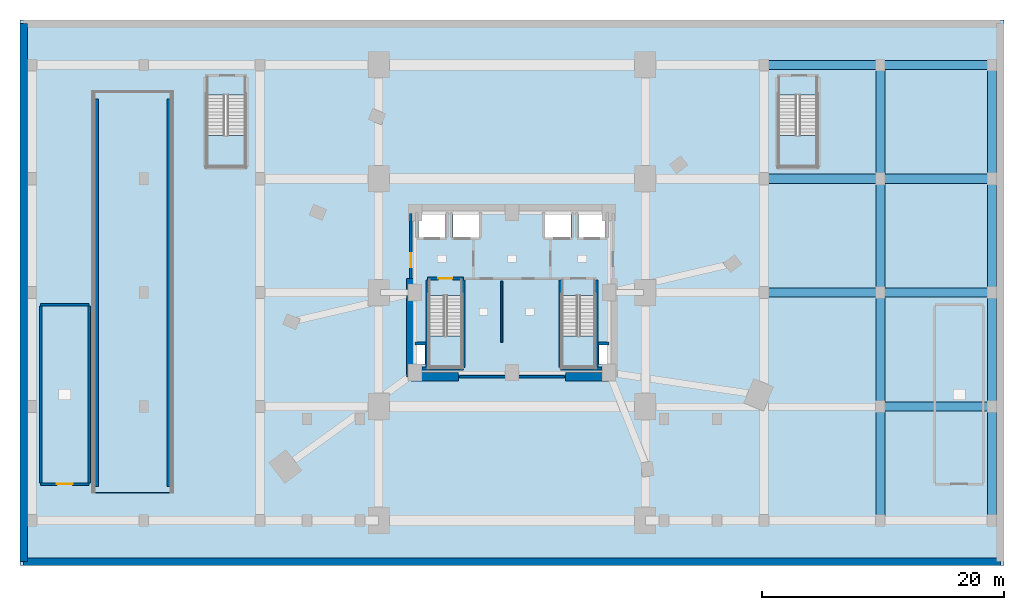
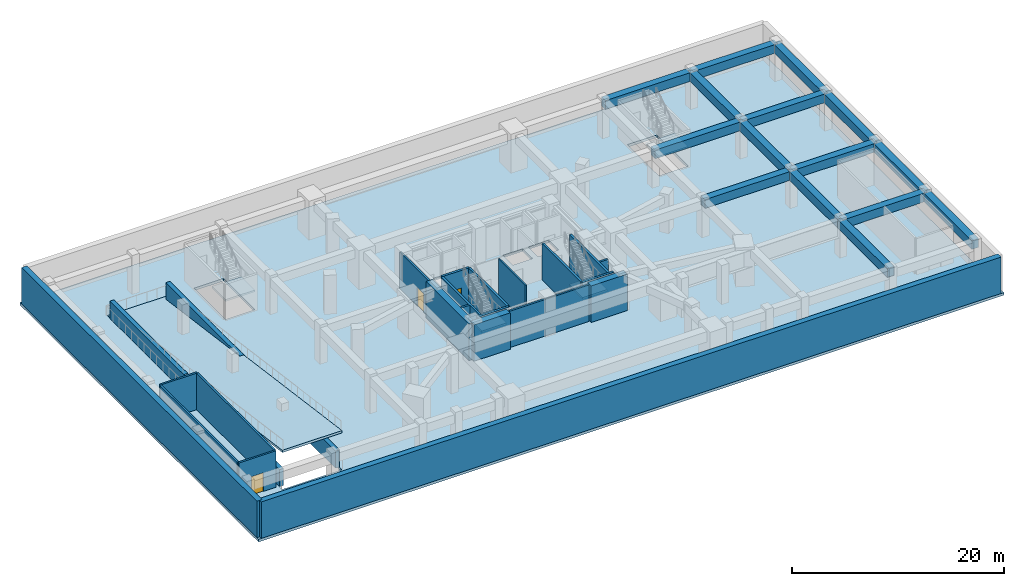
# One storey, part 2 of 9: 23 walls, 15 beams, 6 slabs, 3 doors, 3 openings, 4 elements without a shape of their own.
"""IFC4 building model written with IfcOpenShell, lengths in metres."""

from ifc_helpers import new_model, si_unit, direction, frame, frame_2d, origin, origin_2d, place, context, subcontext, project, spatial, polyline, rectangle, outline, extrude, material, layer, layer_set, material_profile, profile_set, type_object, element, fill, aggregate, save


model = new_model("IFC4")

# Units and contexts
model_context = context("Model", 3, precision=1e-05, world=origin(), true_north=direction((0.0, 1.0)))
body_context = subcontext(model_context, "Body", "Model", "MODEL_VIEW")
ifc_project = project(units=[si_unit("LENGTHUNIT", "METRE"), si_unit("AREAUNIT", "SQUARE_METRE"), si_unit("VOLUMEUNIT", "CUBIC_METRE"), si_unit("PLANEANGLEUNIT", "RADIAN"), si_unit("MASSUNIT", "GRAM", prefix="KILO")], contexts=[model_context])

# Site, building, storey
site_placement = place(None, origin())
site = spatial("IfcSite", under=ifc_project, at=site_placement, CompositionType="ELEMENT")
building_placement = place(site_placement, origin())
building = spatial("IfcBuilding", under=site, at=building_placement, Name="Ndelora Gate Hotel", CompositionType="ELEMENT")
storey_placement = place(building_placement, frame((0.0, 0.0, -9.0)))
storey = spatial("IfcBuildingStorey", under=building, at=storey_placement, Name="B02", CompositionType="ELEMENT", Elevation=-9.0)

# Beams
ifc_material_1 = material(Name="Concrete C50/60", Category="concrete")
ifc_material_profile = material_profile(ifc_material_1, rectangle(XDim=0.75, YDim=1.0, at=origin_2d()), Name="RCB 750x1000")
ifc_profile_set = profile_set([ifc_material_profile], Name="Concrete C50/60")
beam_type = type_object("IfcBeamType", Name="BM-RC-750x1000", PredefinedType="BEAM", material=ifc_profile_set)
beam_1_placement = place(storey_placement, frame((30.39990234375, -18.800048828125, 3.699951171875), z_axis=(0.0, 1.0, 0.0), x_axis=(-1.0, 0.0, 0.0)))
element("IfcBeam", 1, at=beam_1_placement, inside=storey, type_object=beam_type, Name="B02 Podium Longitudinal Girder X=+30.4", PredefinedType="BEAM", context=body_context, shape_type="SweptSolid", body=[
    extrude(rectangle(XDim=0.75, YDim=1.0, at=origin_2d()), origin(), (0.0, 0.0, 1.0), 9.400146484375),
])
for number, where, z_axis, x_axis, name in (
    (2, (30.39990234375, -9.39990234375, 3.699951171875), (0.0, 1.0, 0.0), (-1.0, 0.0, 0.0), "B02 Podium Longitudinal Girder X=+30.4"),
    (3, (30.39990234375, 0.0, 3.699951171875), (0.0, 1.0, 0.0), (-1.0, 0.0, 0.0), "B02 Podium Longitudinal Girder X=+30.4"),
):
    element("IfcBeam", number, at=place(storey_placement, frame(where, z_axis=z_axis, x_axis=x_axis)), inside=storey, type_object=beam_type, Name=name, PredefinedType="BEAM", context=body_context, shape_type="SweptSolid", body=[
        extrude(rectangle(XDim=0.75, YDim=1.0, at=origin_2d()), origin(), (0.0, 0.0, 1.0), 9.39990234375),
    ])
for number, where, z_axis, x_axis, name in (
    (4, (30.39990234375, 9.39990234375, 3.699951171875), (0.0, 1.0, 0.0), (-1.0, 0.0, 0.0), "B02 Podium Longitudinal Girder X=+30.4"),
    (5, (39.60009765625, -18.800048828125, 3.699951171875), (0.0, 1.0, 0.0), (-1.0, 0.0, 0.0), "B02 Podium Longitudinal Girder X=+39.6"),
):
    element("IfcBeam", number, at=place(storey_placement, frame(where, z_axis=z_axis, x_axis=x_axis)), inside=storey, type_object=beam_type, Name=name, PredefinedType="BEAM", context=body_context, shape_type="SweptSolid", body=[
        extrude(rectangle(XDim=0.75, YDim=1.0, at=origin_2d()), origin(), (0.0, 0.0, 1.0), 9.400146484375),
    ])
for number, where, z_axis, x_axis, name in (
    (6, (39.60009765625, -9.39990234375, 3.699951171875), (0.0, 1.0, 0.0), (-1.0, 0.0, 0.0), "B02 Podium Longitudinal Girder X=+39.6"),
    (7, (39.60009765625, 0.0, 3.699951171875), (0.0, 1.0, 0.0), (-1.0, 0.0, 0.0), "B02 Podium Longitudinal Girder X=+39.6"),
):
    element("IfcBeam", number, at=place(storey_placement, frame(where, z_axis=z_axis, x_axis=x_axis)), inside=storey, type_object=beam_type, Name=name, PredefinedType="BEAM", context=body_context, shape_type="SweptSolid", body=[
        extrude(rectangle(XDim=0.75, YDim=1.0, at=origin_2d()), origin(), (0.0, 0.0, 1.0), 9.39990234375),
    ])
beam_2_placement = place(storey_placement, frame((39.60009765625, 9.39990234375, 3.699951171875), z_axis=(0.0, 1.0, 0.0), x_axis=(-1.0, 0.0, 0.0)))
element("IfcBeam", 8, at=beam_2_placement, inside=storey, type_object=beam_type, Name="B02 Podium Longitudinal Girder X=+39.6", PredefinedType="BEAM", context=body_context, shape_type="SweptSolid", body=[
    extrude(rectangle(XDim=0.75, YDim=1.0, at=origin_2d()), origin(), (0.0, 0.0, 1.0), 9.400146484375),
])
beam_3_placement = place(storey_placement, frame((30.39990234375, -9.39990234375, 3.699951171875), z_axis=(1.0, 0.0, 0.0), x_axis=(0.0, 1.0, 0.0)))
element("IfcBeam", 9, at=beam_3_placement, inside=storey, type_object=beam_type, Name="B02 Podium Transverse Girder Y=-9.4", PredefinedType="BEAM", context=body_context, shape_type="SweptSolid", body=[
    extrude(rectangle(XDim=0.75, YDim=1.0, at=origin_2d()), origin(), (0.0, 0.0, 1.0), 9.2001953125),
])
beam_4_placement = place(storey_placement, frame((20.800048828125, 0.0, 3.699951171875), z_axis=(1.0, 0.0, 0.0), x_axis=(0.0, 1.0, 0.0)))
element("IfcBeam", 10, at=beam_4_placement, inside=storey, type_object=beam_type, Name="B02 Podium Transverse Girder Y=+0.0", PredefinedType="BEAM", context=body_context, shape_type="SweptSolid", body=[
    extrude(rectangle(XDim=0.75, YDim=1.0, at=origin_2d()), origin(), (0.0, 0.0, 1.0), 9.599853515625),
])
beam_5_placement = place(storey_placement, frame((30.39990234375, 0.0, 3.699951171875), z_axis=(1.0, 0.0, 0.0), x_axis=(0.0, 1.0, 0.0)))
element("IfcBeam", 11, at=beam_5_placement, inside=storey, type_object=beam_type, Name="B02 Podium Transverse Girder Y=+0.0", PredefinedType="BEAM", context=body_context, shape_type="SweptSolid", body=[
    extrude(rectangle(XDim=0.75, YDim=1.0, at=origin_2d()), origin(), (0.0, 0.0, 1.0), 9.2001953125),
])
beam_6_placement = place(storey_placement, frame((20.800048828125, 9.39990234375, 3.699951171875), z_axis=(1.0, 0.0, 0.0), x_axis=(0.0, 1.0, 0.0)))
element("IfcBeam", 12, at=beam_6_placement, inside=storey, type_object=beam_type, Name="B02 Podium Transverse Girder Y=+9.4", PredefinedType="BEAM", context=body_context, shape_type="SweptSolid", body=[
    extrude(rectangle(XDim=0.75, YDim=1.0, at=origin_2d()), origin(), (0.0, 0.0, 1.0), 9.599853515625),
])
beam_7_placement = place(storey_placement, frame((30.39990234375, 9.39990234375, 3.699951171875), z_axis=(1.0, 0.0, 0.0), x_axis=(0.0, 1.0, 0.0)))
element("IfcBeam", 13, at=beam_7_placement, inside=storey, type_object=beam_type, Name="B02 Podium Transverse Girder Y=+9.4", PredefinedType="BEAM", context=body_context, shape_type="SweptSolid", body=[
    extrude(rectangle(XDim=0.75, YDim=1.0, at=origin_2d()), origin(), (0.0, 0.0, 1.0), 9.2001953125),
])
beam_8_placement = place(storey_placement, frame((20.800048828125, 18.800048828125, 3.699951171875), z_axis=(1.0, 0.0, 0.0), x_axis=(0.0, 1.0, 0.0)))
element("IfcBeam", 14, at=beam_8_placement, inside=storey, type_object=beam_type, Name="B02 Podium Transverse Girder Y=+18.8", PredefinedType="BEAM", context=body_context, shape_type="SweptSolid", body=[
    extrude(rectangle(XDim=0.75, YDim=1.0, at=origin_2d()), origin(), (0.0, 0.0, 1.0), 9.599853515625),
])
beam_9_placement = place(storey_placement, frame((30.39990234375, 18.800048828125, 3.699951171875), z_axis=(1.0, 0.0, 0.0), x_axis=(0.0, 1.0, 0.0)))
element("IfcBeam", 15, at=beam_9_placement, inside=storey, type_object=beam_type, Name="B02 Podium Transverse Girder Y=+18.8", PredefinedType="BEAM", context=body_context, shape_type="SweptSolid", body=[
    extrude(rectangle(XDim=0.75, YDim=1.0, at=origin_2d()), origin(), (0.0, 0.0, 1.0), 9.2001953125),
])

# Slab
ifc_material_2 = material(Name="Concrete C40/50", Category="concrete")
ifc_layer_1 = layer(ifc_material_2, 0.300048828125)
ifc_layer_set_1 = layer_set([ifc_layer_1], Name="Concrete C40/50")
slab_type_1 = type_object("IfcSlabType", Name="SL-BSM-300", PredefinedType="FLOOR", material=ifc_layer_set_1)
slab_1_placement = place(storey_placement, frame((0.0, 0.0, -0.300048828125)))
element("IfcSlab", 16, at=slab_1_placement, inside=storey, type_object=slab_type_1, Name="B02 Structural Floor Slab", PredefinedType="FLOOR", context=body_context, shape_type="SweptSolid", body=[
    extrude(outline(polyline([(-40.60009765625, -22.5), (40.60009765625, -22.5), (40.60009765625, 22.5), (-40.60009765625, 22.5), (-40.60009765625, -22.5)]), holes=[polyline([(-6.85009765625, -0.22998046875), (-6.85009765625, -6.14990234375), (-4.1298828125, -6.14990234375), (-4.1298828125, -0.22998046875), (-6.85009765625, -0.22998046875)]), polyline([(4.1298828125, -0.22998046875), (4.1298828125, -6.14990234375), (6.85009765625, -6.14990234375), (6.85009765625, -0.22998046875), (4.1298828125, -0.22998046875)]), polyline([(-25.199951171875, 16.320068359375), (-25.199951171875, 10.39990234375), (-22.0, 10.39990234375), (-22.0, 16.320068359375), (-25.199951171875, 16.320068359375)]), polyline([(22.0, 16.320068359375), (22.0, 10.39990234375), (25.199951171875, 10.39990234375), (25.199951171875, 16.320068359375), (22.0, 16.320068359375)]), polyline([(-7.72998046875, 4.570068359375), (-5.469970703125, 4.570068359375), (-5.469970703125, 6.429931640625), (-7.72998046875, 6.429931640625), (-7.72998046875, 4.570068359375)]), polyline([(5.469970703125, 4.570068359375), (7.72998046875, 4.570068359375), (7.72998046875, 6.429931640625), (5.469970703125, 6.429931640625), (5.469970703125, 4.570068359375)]), polyline([(-4.8798828125, 4.570068359375), (-2.719970703125, 4.570068359375), (-2.719970703125, 6.429931640625), (-4.8798828125, 6.429931640625), (-4.8798828125, 4.570068359375)]), polyline([(2.719970703125, 4.570068359375), (4.8798828125, 4.570068359375), (4.8798828125, 6.429931640625), (2.719970703125, 6.429931640625), (2.719970703125, 4.570068359375)]), polyline([(-7.89990234375, -5.919921875), (-7.179931640625, -5.919921875), (-7.179931640625, -4.320068359375), (-7.89990234375, -4.320068359375), (-7.89990234375, -5.919921875)]), polyline([(7.179931640625, -5.919921875), (7.89990234375, -5.919921875), (7.89990234375, -4.320068359375), (7.179931640625, -4.320068359375), (7.179931640625, -5.919921875)]), polyline([(-34.550048828125, -16.5), (-28.050048828125, -16.5), (-28.050048828125, 16.5), (-34.550048828125, 16.5), (-34.550048828125, -16.5)])]), origin(), (0.0, 0.0, 1.0), 0.300048828125),
])

# Stair, slab
ifc_material_3 = material(Name="Precast concrete C40/50", Category="concrete")
stair_type = type_object("IfcStairType", Name="STR-DOG-CORE", PredefinedType="HALF_TURN_STAIR", material=ifc_material_3)
stair_1_placement = place(storey_placement, origin())
stair_1 = element("IfcStair", 17, at=stair_1_placement, inside=storey, type_object=stair_type, Name="B02 Protected Core Exit Stair ST4", PredefinedType="HALF_TURN_STAIR")
ifc_layer_2 = layer(ifc_material_3, 0.219970703125)
ifc_layer_set_2 = layer_set([ifc_layer_2], Name="Precast concrete C40/50")
slab_type_2 = type_object("IfcSlabType", Name="SL-LAND-220", PredefinedType="LANDING", material=ifc_layer_set_2)
slab_2_placement = place(storey_placement, frame((0.0, 0.0, 2.050048828125)))
slab_2 = element("IfcSlab", 18, at=slab_2_placement, type_object=slab_type_2, Name="ST4 landing 1", PredefinedType="LANDING", context=body_context, shape_type="SweptSolid", body=[
    extrude(outline(polyline([(-6.85009765625, -3.590087890625), (-6.85009765625, -6.14990234375), (-4.1298828125, -6.14990234375), (-4.1298828125, -3.590087890625), (-6.85009765625, -3.590087890625)])), origin(), (0.0, 0.0, 1.0), 0.199951171875),
])
aggregate(stair_1, [slab_2])

stair_2_placement = place(storey_placement, origin())
stair_2 = element("IfcStair", 19, at=stair_2_placement, inside=storey, type_object=stair_type, Name="B02 Protected Core Exit Stair ST5", PredefinedType="HALF_TURN_STAIR")
slab_3_placement = place(storey_placement, frame((0.0, 0.0, 2.050048828125)))
slab_3 = element("IfcSlab", 20, at=slab_3_placement, type_object=slab_type_2, Name="ST5 landing 1", PredefinedType="LANDING", context=body_context, shape_type="SweptSolid", body=[
    extrude(outline(polyline([(4.1298828125, -3.590087890625), (4.1298828125, -6.14990234375), (6.85009765625, -6.14990234375), (6.85009765625, -3.590087890625), (4.1298828125, -3.590087890625)])), origin(), (0.0, 0.0, 1.0), 0.199951171875),
])
aggregate(stair_2, [slab_3])

stair_3_placement = place(storey_placement, origin())
stair_3 = element("IfcStair", 21, at=stair_3_placement, inside=storey, type_object=stair_type, Name="B02 Basement Escape Stair ST1", PredefinedType="HALF_TURN_STAIR")
slab_4_placement = place(storey_placement, frame((0.0, 0.0, 2.050048828125)))
slab_4 = element("IfcSlab", 22, at=slab_4_placement, type_object=slab_type_2, Name="ST1 landing 1", PredefinedType="LANDING", context=body_context, shape_type="SweptSolid", body=[
    extrude(outline(polyline([(-25.199951171875, 12.9599609375), (-25.199951171875, 10.39990234375), (-22.0, 10.39990234375), (-22.0, 12.9599609375), (-25.199951171875, 12.9599609375)])), origin(), (0.0, 0.0, 1.0), 0.199951171875),
])
aggregate(stair_3, [slab_4])

stair_4_placement = place(storey_placement, origin())
stair_4 = element("IfcStair", 23, at=stair_4_placement, inside=storey, type_object=stair_type, Name="B02 Basement Escape Stair ST2", PredefinedType="HALF_TURN_STAIR")
slab_5_placement = place(storey_placement, frame((0.0, 0.0, 2.050048828125)))
slab_5 = element("IfcSlab", 24, at=slab_5_placement, type_object=slab_type_2, Name="ST2 landing 1", PredefinedType="LANDING", context=body_context, shape_type="SweptSolid", body=[
    extrude(outline(polyline([(22.0, 12.9599609375), (22.0, 10.39990234375), (25.199951171875, 10.39990234375), (25.199951171875, 12.9599609375), (22.0, 12.9599609375)])), origin(), (0.0, 0.0, 1.0), 0.199951171875),
])
aggregate(stair_4, [slab_5])

# Slab
ifc_layer_3 = layer(ifc_material_2, 0.25)
ifc_layer_set_3 = layer_set([ifc_layer_3], Name="Concrete C40/50")
slab_type_3 = type_object("IfcSlabType", Name="SL-VEH-RAMP-250", PredefinedType="FLOOR", material=ifc_layer_set_3)
slab_6_placement = place(storey_placement, frame((-34.550048828125, 16.5, 0.0), z_axis=(0.0, 0.135113204733, 0.990830168044), x_axis=(1.0, 0.0, 0.0)))
element("IfcSlab", 25, at=slab_6_placement, inside=storey, type_object=slab_type_3, Name="Car Park Vehicle Ramp Slab R2", PredefinedType="FLOOR", context=body_context, shape_type="SweptSolid", body=[
    extrude(outline(polyline([(0.0, 0.0), (6.5, 0.0), (6.5, -33.30540496676178), (0.0, -33.30540496676178), (0.0, 0.0)])), origin(), (0.0, 0.0, -1.0), 0.25),
])

# Walls
ifc_layer_4 = layer(ifc_material_1, 0.449951171875)
ifc_layer_set_4 = layer_set([ifc_layer_4], Name="Concrete C50/60")
wall_type_1 = type_object("IfcWallType", Name="WL-CORE-450", PredefinedType="SHEAR", material=ifc_layer_set_4)
for number, where, z_axis, x_axis, name in (
    (26, (-34.35009765625, -16.0, 0.0), (0.0, 0.0, 1.0), (0.0, 1.0, 0.0), "B02 Vehicle Ramp R2 Support Wall W"),
    (27, (-28.25, -16.0, 0.0), (0.0, 0.0, 1.0), (0.0, 1.0, 0.0), "B02 Vehicle Ramp R2 Support Wall E"),
):
    element("IfcWall", number, at=place(storey_placement, frame(where, z_axis=z_axis, x_axis=x_axis)), inside=storey, type_object=wall_type_1, Name=name, PredefinedType="SHEAR", context=body_context, shape_type="SweptSolid", body=[
        extrude(rectangle(XDim=32.0, YDim=0.449951171875, at=frame_2d((16.0, 0.0))), origin(), (0.0, 0.0, 1.0), 1.969970703125),
    ])
ifc_material_4 = material(Name="Concrete C60/75", Category="concrete")
ifc_layer_5 = layer(ifc_material_4, 0.699951171875)
ifc_layer_set_5 = layer_set([ifc_layer_5], Name="Concrete C60/75")
wall_type_2 = type_object("IfcWallType", Name="WL-CORE-700", PredefinedType="SHEAR", material=ifc_layer_set_5)
for number, where, z_axis, x_axis, name in (
    (28, (-8.35009765625, -6.949951171875, 0.0), (0.0, 0.0, 1.0), (1.0, 0.0, 0.0), "B02 Core Shear Wall S-W"),
    (29, (4.39990234375, -6.949951171875, 0.0), (0.0, 0.0, 1.0), (1.0, 0.0, 0.0), "B02 Core Shear Wall S-E"),
):
    element("IfcWall", number, at=place(storey_placement, frame(where, z_axis=z_axis, x_axis=x_axis)), inside=storey, type_object=wall_type_2, Name=name, PredefinedType="SHEAR", context=body_context, shape_type="SweptSolid", body=[
        extrude(rectangle(XDim=3.9501953125, YDim=0.699951171875, at=frame_2d((1.97509765625, 0.0))), origin(), (0.0, 0.0, 1.0), 4.199951171875),
    ])
wall_1_placement = place(storey_placement, frame((-8.35009765625, -6.949951171875, 0.0), z_axis=(0.0, 0.0, 1.0), x_axis=(0.0, 1.0, 0.0)))
element("IfcWall", 30, at=wall_1_placement, inside=storey, type_object=wall_type_2, Name="B02 Core Shear Wall W", PredefinedType="SHEAR", context=body_context, shape_type="SweptSolid", body=[
    extrude(rectangle(XDim=8.099853515625, YDim=0.699951171875, at=frame_2d((4.0498046875, 0.0))), origin(), (0.0, 0.0, 1.0), 4.199951171875),
])

# Wall, opening, door
ifc_layer_6 = layer(ifc_material_2, 0.199951171875)
ifc_layer_set_6 = layer_set([ifc_layer_6], Name="Concrete C40/50")
wall_type_3 = type_object("IfcWallType", Name="WL-FIRE-200", PredefinedType="PARTITIONING", material=ifc_layer_set_6)
wall_2_placement = place(storey_placement, frame((-8.35009765625, 1.14990234375, 0.0), z_axis=(0.0, 0.0, 1.0), x_axis=(0.0, 1.0, 0.0)))
wall_2 = element("IfcWall", 31, at=wall_2_placement, inside=storey, type_object=wall_type_3, Name="B02 Interior Wall IW-2", PredefinedType="PARTITIONING", context=body_context, shape_type="SweptSolid", body=[
    extrude(rectangle(XDim=5.400146484375, YDim=0.199951171875, at=frame_2d((2.7001953125, 0.0))), origin(), (0.0, 0.0, 1.0), 4.199951171875),
])
opening_1_placement = place(wall_2_placement, frame((0.949951171875, 0.0, 0.0)))
opening_1 = element("IfcOpeningElement", 32, at=opening_1_placement, cuts=wall_2, Name="Opening FD1", PredefinedType="OPENING", context=body_context, shape_type="SweptSolid", body=[
    extrude(rectangle(XDim=1.14990234375, YDim=2.14990234375, at=frame_2d((0.574951171875, 1.074951171875))), frame((0.0, 0.10986328125, 0.0), z_axis=(0.0, -1.0, 0.0), x_axis=(1.0, 0.0, 0.0)), (0.0, 0.0, 1.0), 0.219970703125),
])
ifc_material_5 = material(Name="Fire-Rated Timber-Veneer Steel Core", Category="steel")
door_type_1 = type_object("IfcDoorType", Name="DR-FD60", OperationType="SINGLE_SWING_LEFT", PredefinedType="DOOR", material=ifc_material_5)
door_1_placement = place(opening_1_placement, origin())
door_1 = element("IfcDoor", 33, at=door_1_placement, inside=storey, type_object=door_type_1, Name="B02 Firefighting Lobby West Corridor Door", OperationType="SINGLE_SWING_LEFT", OverallHeight=2.14990234375, OverallWidth=1.14990234375, PredefinedType="DOOR", context=body_context, shape_type="SweptSolid", body=[
    extrude(rectangle(XDim=1.14990234375, YDim=2.14990234375, at=frame_2d((0.574951171875, 1.074951171875))), frame((0.0, 0.02490234375, 0.0), z_axis=(0.0, -1.0, 0.0), x_axis=(1.0, 0.0, 0.0)), (0.0, 0.0, 1.0), 0.050048828125),
])
fill(opening_1, door_1)

# Walls
wall_3_placement = place(storey_placement, frame((-4.320068359375, -6.949951171875, 0.0), z_axis=(0.0, 0.0, 1.0), x_axis=(1.0, 0.0, 0.0)))
element("IfcWall", 34, at=wall_3_placement, inside=storey, type_object=wall_type_3, Name="B02 Interior Wall IW-2", PredefinedType="PARTITIONING", context=body_context, shape_type="SweptSolid", body=[
    extrude(rectangle(XDim=8.64013671875, YDim=0.199951171875, at=frame_2d((4.320068359375, 0.0))), origin(), (0.0, 0.0, 1.0), 4.199951171875),
])
wall_4_placement = place(storey_placement, frame((-38.89990234375, -1.0, 0.0), z_axis=(0.0, 0.0, 1.0), x_axis=(1.0, 0.0, 0.0)))
element("IfcWall", 35, at=wall_4_placement, inside=storey, type_object=wall_type_3, Name="B02 Interior Wall IW-2", PredefinedType="PARTITIONING", context=body_context, shape_type="SweptSolid", body=[
    extrude(rectangle(XDim=4.0, YDim=0.199951171875, at=frame_2d((2.0, 0.0))), origin(), (0.0, 0.0, 1.0), 4.199951171875),
])

# Wall, opening, door
wall_5_placement = place(storey_placement, frame((-38.89990234375, -15.800048828125, 0.0), z_axis=(0.0, 0.0, 1.0), x_axis=(1.0, 0.0, 0.0)))
wall_5 = element("IfcWall", 36, at=wall_5_placement, inside=storey, type_object=wall_type_3, Name="B02 Interior Wall IW-2", PredefinedType="PARTITIONING", context=body_context, shape_type="SweptSolid", body=[
    extrude(rectangle(XDim=4.0, YDim=0.199951171875, at=frame_2d((2.0, 0.0))), origin(), (0.0, 0.0, 1.0), 4.199951171875),
])
opening_2_placement = place(wall_5_placement, frame((1.35009765625, 0.0, 0.0)))
opening_2 = element("IfcOpeningElement", 37, at=opening_2_placement, cuts=wall_5, Name="Opening FD3", PredefinedType="OPENING", context=body_context, shape_type="SweptSolid", body=[
    extrude(rectangle(XDim=1.300048828125, YDim=2.14990234375, at=frame_2d((0.64990234375, 1.074951171875))), frame((0.0, 0.10986328125, 0.0), z_axis=(0.0, -1.0, 0.0), x_axis=(1.0, 0.0, 0.0)), (0.0, 0.0, 1.0), 0.219970703125),
])
ifc_material_6 = material(Name="Insulated Steel Plant Room Fire Door", Category="steel")
door_type_2 = type_object("IfcDoorType", Name="DR-PLT-1300", OperationType="SINGLE_SWING_LEFT", PredefinedType="DOOR", material=ifc_material_6)
door_2_placement = place(opening_2_placement, origin())
door_2 = element("IfcDoor", 38, at=door_2_placement, inside=storey, type_object=door_type_2, Name="B02 Hotel Laundry and Linen Processing Hall Door", OperationType="SINGLE_SWING_LEFT", OverallHeight=2.14990234375, OverallWidth=1.300048828125, PredefinedType="DOOR", context=body_context, shape_type="SweptSolid", body=[
    extrude(rectangle(XDim=1.300048828125, YDim=2.14990234375, at=frame_2d((0.64990234375, 1.074951171875))), frame((0.0, 0.02490234375, 0.0), z_axis=(0.0, -1.0, 0.0), x_axis=(1.0, 0.0, 0.0)), (0.0, 0.0, 1.0), 0.050048828125),
])
fill(opening_2, door_2)

# Walls
for number, where, z_axis, x_axis, name in (
    (39, (-38.89990234375, -1.110107421875, 0.0), (0.0, 0.0, 1.0), (0.0, -1.0, 0.0), "B02 Interior Wall IW-2"),
    (40, (-34.89990234375, -15.68994140625, 0.0), (0.0, 0.0, 1.0), (0.0, 1.0, 0.0), "B02 Interior Wall IW-2"),
):
    element("IfcWall", number, at=place(storey_placement, frame(where, z_axis=z_axis, x_axis=x_axis)), inside=storey, type_object=wall_type_3, Name=name, PredefinedType="PARTITIONING", context=body_context, shape_type="SweptSolid", body=[
        extrude(rectangle(XDim=14.579833984375, YDim=0.199951171875, at=frame_2d((7.2900390625, 0.0))), origin(), (0.0, 0.0, 1.0), 4.199951171875),
    ])
ifc_material_7 = material(Name="Fire-Rated Gypsum Stud Partition", Category="gypsum")
ifc_layer_7 = layer(ifc_material_7, 0.14990234375)
ifc_layer_set_7 = layer_set([ifc_layer_7], Name="Fire-Rated Gypsum Stud Partition")
wall_type_4 = type_object("IfcWallType", Name="WL-PART-150", PredefinedType="PARTITIONING", material=ifc_layer_set_7)
wall_6_placement = place(storey_placement, frame((-0.85009765625, -4.080078125, 0.0), z_axis=(0.0, 0.0, 1.0), x_axis=(0.0, 1.0, 0.0)))
element("IfcWall", 41, at=wall_6_placement, inside=storey, type_object=wall_type_4, Name="B02 Interior Wall IW-5", PredefinedType="PARTITIONING", context=body_context, shape_type="SweptSolid", body=[
    extrude(rectangle(XDim=5.030029296875, YDim=0.14990234375, at=frame_2d((2.51513671875, 0.0))), origin(), (0.0, 0.0, 1.0), 4.199951171875),
])
ifc_layer_8 = layer(ifc_material_2, 0.60009765625)
ifc_layer_set_8 = layer_set([ifc_layer_8], Name="Concrete C40/50")
wall_type_5 = type_object("IfcWallType", Name="WL-RET-600", PredefinedType="SOLIDWALL", material=ifc_layer_set_8)
wall_7_placement = place(storey_placement, frame((-40.300048828125, -22.199951171875, 0.0), z_axis=(0.0, 0.0, 1.0), x_axis=(1.0, 0.0, 0.0)))
element("IfcWall", 42, at=wall_7_placement, inside=storey, type_object=wall_type_5, Name="B02 Perimeter Retaining Wall RW-1 (1)", PredefinedType="SOLIDWALL", context=body_context, shape_type="SweptSolid", body=[
    extrude(rectangle(XDim=80.60009765625, YDim=0.60009765625, at=frame_2d((40.300048828125, 0.0))), origin(), (0.0, 0.0, 1.0), 4.199951171875),
])
wall_8_placement = place(storey_placement, frame((-40.300048828125, 22.199951171875, 0.0), z_axis=(0.0, 0.0, 1.0), x_axis=(0.0, -1.0, 0.0)))
element("IfcWall", 43, at=wall_8_placement, inside=storey, type_object=wall_type_5, Name="B02 Perimeter Retaining Wall RW-1 (4)", PredefinedType="SOLIDWALL", context=body_context, shape_type="SweptSolid", body=[
    extrude(rectangle(XDim=44.39990234375, YDim=0.60009765625, at=frame_2d((22.199951171875, 0.0))), origin(), (0.0, 0.0, 1.0), 4.199951171875),
])
ifc_layer_9 = layer(ifc_material_2, 0.219970703125)
ifc_layer_set_9 = layer_set([ifc_layer_9], Name="Concrete C40/50")
wall_type_6 = type_object("IfcWallType", Name="WL-SHAFT-220", PredefinedType="PARTITIONING", material=ifc_layer_set_9)
for number, where, z_axis, x_axis, name in (
    (44, (-8.0, -4.199951171875, 0.0), (0.0, 0.0, 1.0), (1.0, 0.0, 0.0), "B02 Interior Wall IW-1"),
    (45, (7.090087890625, -4.199951171875, 0.0), (0.0, 0.0, 1.0), (1.0, 0.0, 0.0), "B02 Interior Wall IW-1"),
):
    element("IfcWall", number, at=place(storey_placement, frame(where, z_axis=z_axis, x_axis=x_axis)), inside=storey, type_object=wall_type_6, Name=name, PredefinedType="PARTITIONING", context=body_context, shape_type="SweptSolid", body=[
        extrude(rectangle(XDim=0.909912109375, YDim=0.219970703125, at=frame_2d((0.455078125, 0.0))), origin(), (0.0, 0.0, 1.0), 4.199951171875),
    ])
ifc_layer_10 = layer(ifc_material_1, 0.239990234375)
ifc_layer_set_10 = layer_set([ifc_layer_10], Name="Concrete C50/60")
wall_type_7 = type_object("IfcWallType", Name="WL-STAIR-240", PredefinedType="SHEAR", material=ifc_layer_set_10)
wall_9_placement = place(storey_placement, frame((-6.969970703125, -6.159912109375, 0.0), z_axis=(0.0, 0.0, 1.0), x_axis=(0.0, 1.0, 0.0)))
element("IfcWall", 46, at=wall_9_placement, inside=storey, type_object=wall_type_7, Name="B02 Stair Core Shear Wall SW-ST", PredefinedType="SHEAR", context=body_context, shape_type="SweptSolid", body=[
    extrude(rectangle(XDim=7.219970703125, YDim=0.239990234375, at=frame_2d((3.60986328125, 0.0))), origin(), (0.0, 0.0, 1.0), 4.199951171875),
])
wall_10_placement = place(storey_placement, frame((-7.425048828125, -6.27001953125, 0.0), z_axis=(0.0, 0.0, 1.0), x_axis=(1.0, 0.0, 0.0)))
element("IfcWall", 47, at=wall_10_placement, inside=storey, type_object=wall_type_7, Name="B02 Stair Core Shear Wall SW-ST", PredefinedType="SHEAR", context=body_context, shape_type="SweptSolid", body=[
    extrude(rectangle(XDim=3.4150390625, YDim=0.239990234375, at=frame_2d((1.70751953125, 0.0))), origin(), (0.0, 0.0, 1.0), 4.199951171875),
])
wall_11_placement = place(storey_placement, frame((-4.010009765625, -6.159912109375, 0.0), z_axis=(0.0, 0.0, 1.0), x_axis=(0.0, 1.0, 0.0)))
element("IfcWall", 48, at=wall_11_placement, inside=storey, type_object=wall_type_7, Name="B02 Stair Core Shear Wall SW-ST", PredefinedType="SHEAR", context=body_context, shape_type="SweptSolid", body=[
    extrude(rectangle(XDim=7.219970703125, YDim=0.239990234375, at=frame_2d((3.60986328125, 0.0))), origin(), (0.0, 0.0, 1.0), 4.199951171875),
])

# Wall, opening, door
wall_12_placement = place(storey_placement, frame((-6.969970703125, 1.169921875, 0.0), z_axis=(0.0, 0.0, 1.0), x_axis=(1.0, 0.0, 0.0)))
wall_12 = element("IfcWall", 49, at=wall_12_placement, inside=storey, type_object=wall_type_7, Name="B02 Stair Core Shear Wall SW-ST", PredefinedType="SHEAR", context=body_context, shape_type="SweptSolid", body=[
    extrude(rectangle(XDim=2.9599609375, YDim=0.239990234375, at=frame_2d((1.47998046875, 0.0))), origin(), (0.0, 0.0, 1.0), 4.199951171875),
])
opening_3_placement = place(wall_12_placement, frame((0.89990234375, 0.0, 0.0)))
opening_3 = element("IfcOpeningElement", 50, at=opening_3_placement, cuts=wall_12, Name="Opening FD1", PredefinedType="OPENING", context=body_context, shape_type="SweptSolid", body=[
    extrude(rectangle(XDim=1.14990234375, YDim=2.14990234375, at=frame_2d((0.574951171875, 1.074951171875))), frame((0.0, 0.1298828125, 0.0), z_axis=(0.0, -1.0, 0.0), x_axis=(1.0, 0.0, 0.0)), (0.0, 0.0, 1.0), 0.260009765625),
])
door_3_placement = place(opening_3_placement, origin())
door_3 = element("IfcDoor", 51, at=door_3_placement, inside=storey, type_object=door_type_1, Name="B02 Exit Stair ST4 Door", OperationType="SINGLE_SWING_LEFT", OverallHeight=2.14990234375, OverallWidth=1.14990234375, PredefinedType="DOOR", context=body_context, shape_type="SweptSolid", body=[
    extrude(rectangle(XDim=1.14990234375, YDim=2.14990234375, at=frame_2d((0.574951171875, 1.074951171875))), frame((0.0, 0.02490234375, 0.0), z_axis=(0.0, -1.0, 0.0), x_axis=(1.0, 0.0, 0.0)), (0.0, 0.0, 1.0), 0.050048828125),
])
fill(opening_3, door_3)

# Walls
for number, where, z_axis, x_axis, name in (
    (52, (4.010009765625, -6.159912109375, 0.0), (0.0, 0.0, 1.0), (0.0, 1.0, 0.0), "B02 Stair Core Shear Wall SW-ST"),
    (53, (6.969970703125, -6.159912109375, 0.0), (0.0, 0.0, 1.0), (0.0, 1.0, 0.0), "B02 Stair Core Shear Wall SW-ST"),
):
    element("IfcWall", number, at=place(storey_placement, frame(where, z_axis=z_axis, x_axis=x_axis)), inside=storey, type_object=wall_type_7, Name=name, PredefinedType="SHEAR", context=body_context, shape_type="SweptSolid", body=[
        extrude(rectangle(XDim=7.219970703125, YDim=0.239990234375, at=frame_2d((3.60986328125, 0.0))), origin(), (0.0, 0.0, 1.0), 4.199951171875),
    ])
wall_13_placement = place(storey_placement, frame((4.010009765625, -6.27001953125, 0.0), z_axis=(0.0, 0.0, 1.0), x_axis=(1.0, 0.0, 0.0)))
element("IfcWall", 54, at=wall_13_placement, inside=storey, type_object=wall_type_7, Name="B02 Stair Core Shear Wall SW-ST", PredefinedType="SHEAR", context=body_context, shape_type="SweptSolid", body=[
    extrude(rectangle(XDim=3.4150390625, YDim=0.239990234375, at=frame_2d((1.70751953125, 0.0))), origin(), (0.0, 0.0, 1.0), 4.199951171875),
])

save(model, "model.ifc")
